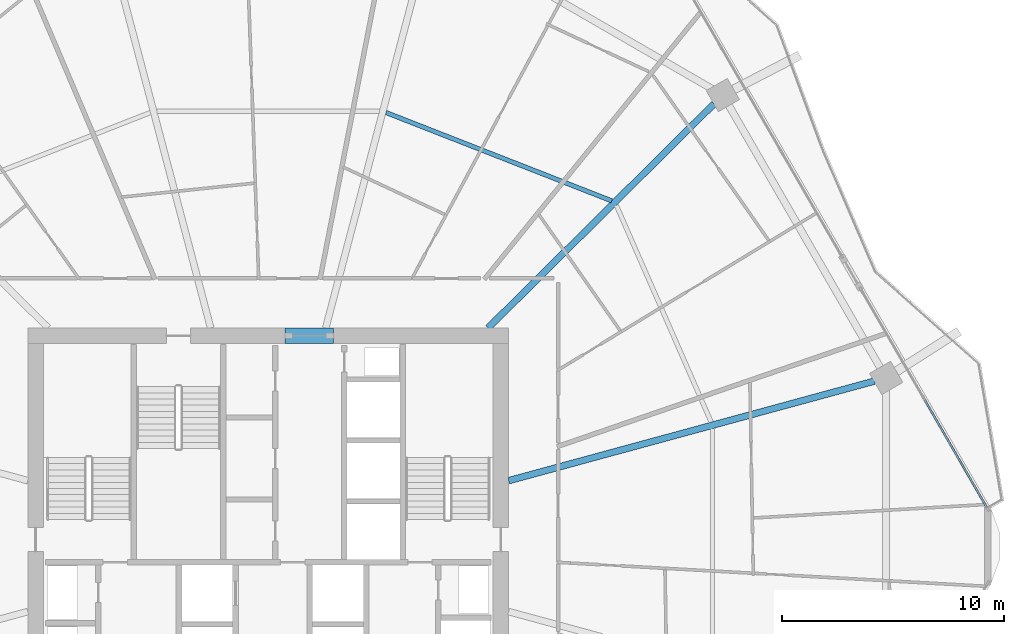
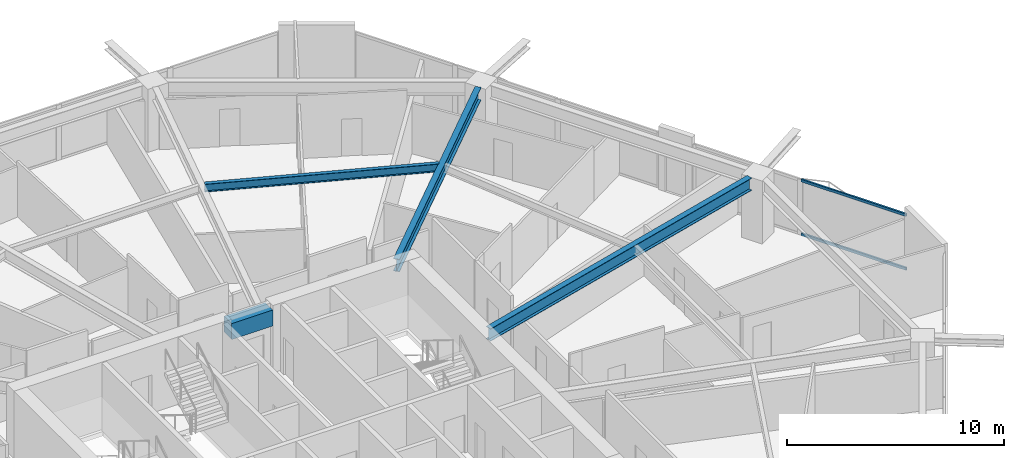
# One storey, part 17 of 32: 4 beams, 2 members, 1 element without a shape of its own.
"""IFC4 building model written with IfcOpenShell, lengths in metres."""

from ifc_helpers import new_model, si_unit, direction, frame, origin, origin_2d, place, context, subcontext, project, spatial, rectangle, hollow_rectangle, i_section, extrude, material, material_profile, profile_set, type_object, element, aggregate, save


model = new_model("IFC4")

# Units and contexts
model_context = context("Model", 3, precision=1e-05, world=origin(), true_north=direction((0.0, 1.0)))
body_context = subcontext(model_context, "Body", "Model", "MODEL_VIEW")
ifc_project = project(units=[si_unit("LENGTHUNIT", "METRE"), si_unit("AREAUNIT", "SQUARE_METRE"), si_unit("VOLUMEUNIT", "CUBIC_METRE"), si_unit("PLANEANGLEUNIT", "RADIAN"), si_unit("MASSUNIT", "GRAM", prefix="KILO")], contexts=[model_context])

# Site, building, storey
site_placement = place(None, origin())
site = spatial("IfcSite", under=ifc_project, at=site_placement, CompositionType="ELEMENT")
building_placement = place(site_placement, origin())
building = spatial("IfcBuilding", under=site, at=building_placement, Name="Zuhravey Tower", CompositionType="ELEMENT")
storey_placement = place(building_placement, frame((0.0, 0.0, 111.39990234375)))
storey = spatial("IfcBuildingStorey", under=building, at=storey_placement, Name="L27", CompositionType="ELEMENT", Elevation=111.39990234375)

# Beam
ifc_material_1 = material(Name="Concrete C60/75", Category="concrete")
ifc_material_profile_1 = material_profile(ifc_material_1, rectangle(XDim=0.699951171875, YDim=0.89990234375, at=origin_2d()), Name="RC-700x900")
ifc_profile_set_1 = profile_set([ifc_material_profile_1], Name="Concrete C60/75")
beam_type_1 = type_object("IfcBeamType", Name="Core Coupling Beam RC700x900", PredefinedType="LINTEL", material=ifc_profile_set_1)
beam_1_placement = place(storey_placement, frame((36.751953125, 41.5, 3.10009765625), z_axis=(1.0, 0.0, 0.0), x_axis=(0.0, 1.0, 0.0)))
element("IfcBeam", 1, at=beam_1_placement, inside=storey, type_object=beam_type_1, Name="L27 CB1 BM-L27-CB-N", PredefinedType="LINTEL", context=body_context, shape_type="SweptSolid", body=[
    extrude(rectangle(XDim=0.699951171875, YDim=0.89990234375, at=origin_2d()), origin(), (0.0, 0.0, 1.0), 2.196044921875),
])

# Curtain wall, members
ifc_material_2 = material(Name="Thermally broken anodised aluminium", Category="aluminium")
curtain_wall_type = type_object("IfcCurtainWallType", Name="Zone 1-2 Residential Curtain Wall CW3", PredefinedType="NOTDEFINED", material=ifc_material_2)
curtain_wall_placement = place(storey_placement, origin())
curtain_wall = element("IfcCurtainWall", 2, at=curtain_wall_placement, inside=storey, type_object=curtain_wall_type, Name="L27 CW3 CW-L27-F1-2", PredefinedType="NOTDEFINED")
ifc_material_3 = material(Name="Anodised aluminium", Category="aluminium")
ifc_material_profile_2 = material_profile(ifc_material_3, hollow_rectangle(XDim=0.090087890625, YDim=0.14990234375, WallThickness=0.0048828125, at=origin_2d()), Name="ALU-RHS-90x150x5")
ifc_profile_set_2 = profile_set([ifc_material_profile_2], Name="Anodised aluminium")
member_type = type_object("IfcMemberType", Name="Curtain-Wall Transom 90x150", PredefinedType="USERDEFINED", material=ifc_profile_set_2)
member_1_placement = place(storey_placement, frame((65.630859375, 38.594970703125, 0.045166015625), z_axis=(0.499998930123, -0.866026021477, 0.0), x_axis=(0.866026021477, 0.499998930123, 0.0)))
member_1 = element("IfcMember", 3, at=member_1_placement, type_object=member_type, Name="CW3 transom 2.1", ObjectType="TRANSOM", PredefinedType="USERDEFINED", context=body_context, shape_type="SweptSolid", body=[
    extrude(hollow_rectangle(XDim=0.090087890625, YDim=0.14990234375, WallThickness=0.0048828125, at=origin_2d()), origin(), (0.0, 0.0, 1.0), 5.60546875),
])
member_2_placement = place(storey_placement, frame((65.630859375, 38.594970703125, 3.0771484375), z_axis=(0.499998930123, -0.866026021477, 0.0), x_axis=(0.866026021477, 0.499998930123, 0.0)))
member_2 = element("IfcMember", 4, at=member_2_placement, type_object=member_type, Name="CW3 transom 2.2", ObjectType="TRANSOM", PredefinedType="USERDEFINED", context=body_context, shape_type="SweptSolid", body=[
    extrude(hollow_rectangle(XDim=0.090087890625, YDim=0.14990234375, WallThickness=0.0048828125, at=origin_2d()), origin(), (0.0, 0.0, 1.0), 5.60546875),
])
aggregate(curtain_wall, [member_1, member_2])

# Beams
ifc_material_4 = material(Name="Steel SM355", Category="steel")
ifc_material_profile_3 = material_profile(ifc_material_4, i_section(OverallWidth=0.300048828125, OverallDepth=0.699951171875, WebThickness=0.012939453125, FlangeThickness=0.02392578125, at=origin_2d()), Name="H-700x300x13x24")
ifc_profile_set_3 = profile_set([ifc_material_profile_3], Name="Steel SM355")
beam_type_2 = type_object("IfcBeamType", Name="Radial Primary Girder H700x300", PredefinedType="BEAM", material=ifc_profile_set_3)
beam_2_placement = place(storey_placement, frame((46.85302734375, 34.954345703125, 3.2001953125), z_axis=(0.964893166225, 0.262642680791, 0.0), x_axis=(-0.262642680791, 0.964893166225, 0.0)))
element("IfcBeam", 5, at=beam_2_placement, inside=storey, type_object=beam_type_2, Name="L27 RG1 BM-L27-RAD-01", PredefinedType="BEAM", context=body_context, shape_type="SweptSolid", body=[
    extrude(i_section(OverallWidth=0.300048828125, OverallDepth=0.699951171875, WebThickness=0.012939453125, FlangeThickness=0.02392578125, at=origin_2d()), origin(), (0.0, 0.0, 1.0), 17.102783203125),
])
beam_3_placement = place(storey_placement, frame((45.931396484375, 41.85302734375, 3.2001953125), z_axis=(0.709906230344, 0.704296204816, 0.0), x_axis=(-0.704296204816, 0.709906230344, 0.0)))
element("IfcBeam", 6, at=beam_3_placement, inside=storey, type_object=beam_type_2, Name="L27 RG1 BM-L27-RAD-02", PredefinedType="BEAM", context=body_context, shape_type="SweptSolid", body=[
    extrude(i_section(OverallWidth=0.300048828125, OverallDepth=0.699951171875, WebThickness=0.012939453125, FlangeThickness=0.02392578125, at=origin_2d()), origin(), (0.0, 0.0, 1.0), 14.361083984375),
])
ifc_material_profile_4 = material_profile(ifc_material_4, i_section(OverallWidth=0.199951171875, OverallDepth=0.449951171875, WebThickness=0.009033203125, FlangeThickness=0.013916015625, at=origin_2d()), Name="H-450x200x9x14")
ifc_profile_set_4 = profile_set([ifc_material_profile_4], Name="Steel SM355")
beam_type_3 = type_object("IfcBeamType", Name="Secondary Floor Joist H450x200", PredefinedType="JOIST", material=ifc_profile_set_4)
beam_4_placement = place(storey_placement, frame((51.50537109375, 47.581298828125, 3.3251953125), z_axis=(-0.931216764731, 0.364465824302, 0.0), x_axis=(-0.364465824302, -0.931216764731, 0.0)))
element("IfcBeam", 7, at=beam_4_placement, inside=storey, type_object=beam_type_3, Name="L27 SJ1 BM-L27-SJ-02-1", PredefinedType="JOIST", context=body_context, shape_type="SweptSolid", body=[
    extrude(i_section(OverallWidth=0.199951171875, OverallDepth=0.449951171875, WebThickness=0.009033203125, FlangeThickness=0.013916015625, at=origin_2d()), origin(), (0.0, 0.0, 1.0), 10.939453125),
])

save(model, "model.ifc")
